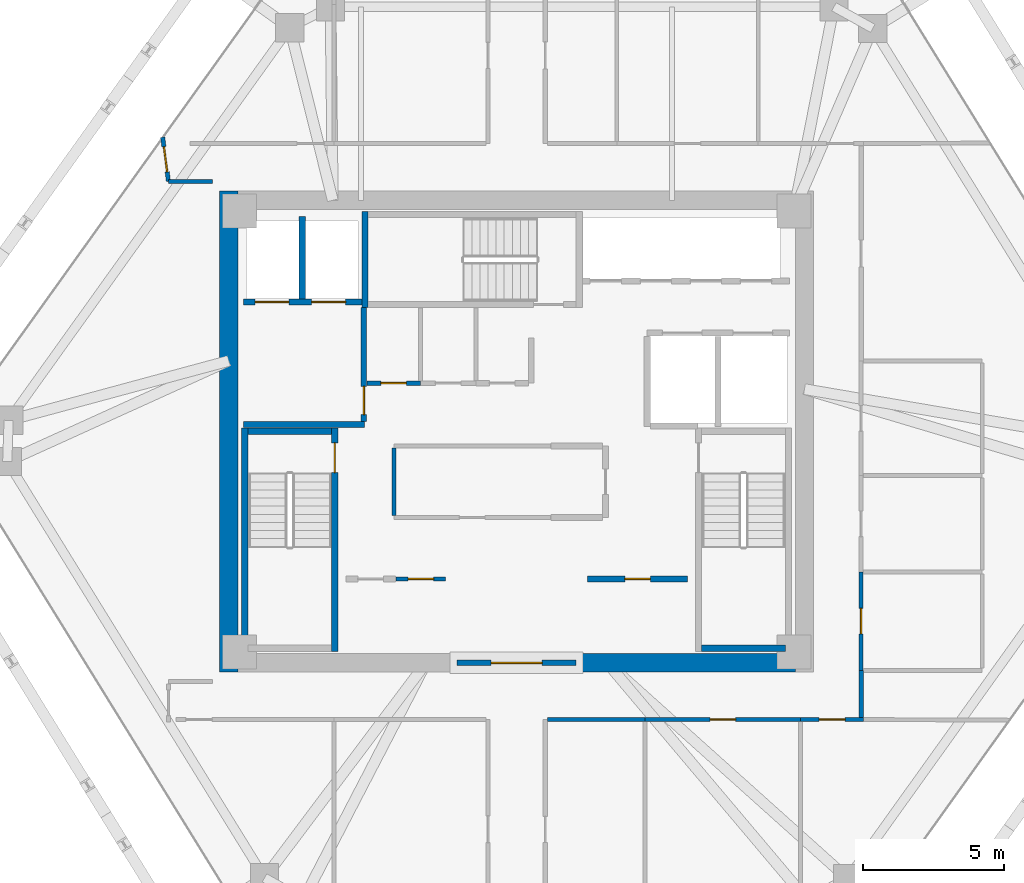
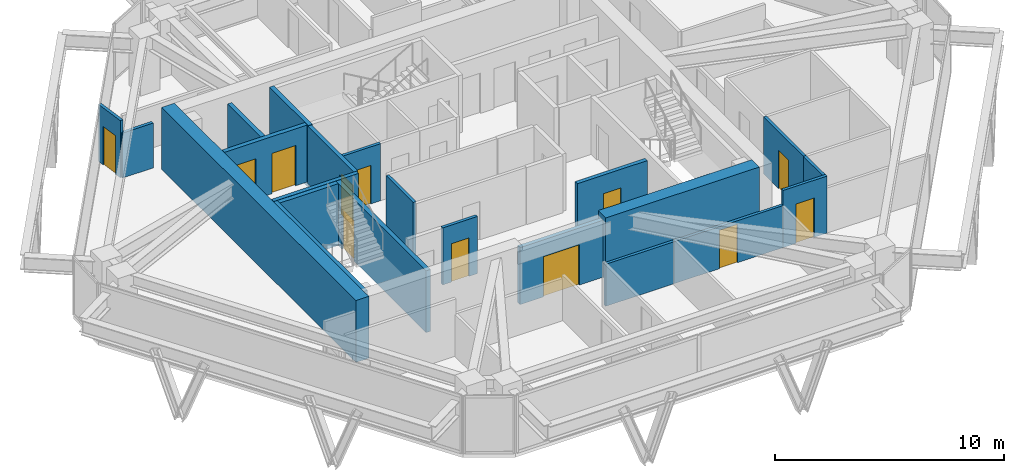
# One storey, part 8 of 11: 23 walls, 12 doors, 12 openings.
"""IFC4 building model written with IfcOpenShell, lengths in metres."""

from ifc_helpers import new_model, si_unit, direction, frame, frame_2d, origin, place, context, subcontext, project, spatial, rectangle, extrude, source, transform, mapped, material, layer, layer_set, type_object, type_shapes, element, fill, save


model = new_model("IFC4")

# Units and contexts
model_context = context("Model", 3, precision=1e-05, world=origin(), true_north=direction((0.0, 1.0)))
body_context = subcontext(model_context, "Body", "Model", "MODEL_VIEW")
ifc_project = project(units=[si_unit("LENGTHUNIT", "METRE"), si_unit("AREAUNIT", "SQUARE_METRE"), si_unit("VOLUMEUNIT", "CUBIC_METRE"), si_unit("PLANEANGLEUNIT", "RADIAN"), si_unit("MASSUNIT", "GRAM", prefix="KILO")], contexts=[model_context])

# Site, building, storey
site_placement = place(None, origin())
site = spatial("IfcSite", under=ifc_project, at=site_placement, CompositionType="ELEMENT")
building_placement = place(site_placement, origin())
building = spatial("IfcBuilding", under=site, at=building_placement, Name="Durnholm Broadcast Tower", CompositionType="ELEMENT")
storey_placement = place(building_placement, frame((0.0, 0.0, 177.10009765625)))
storey = spatial("IfcBuildingStorey", under=building, at=storey_placement, Name="L48", CompositionType="ELEMENT", Elevation=177.10009765625)

# Walls
ifc_material_1 = material(Name="Concrete C70/85", Category="concrete")
ifc_layer_1 = layer(ifc_material_1, 0.64990234375)
ifc_layer_set_1 = layer_set([ifc_layer_1], Name="Concrete C70/85")
wall_type_1 = type_object("IfcWallType", Name="WALL-CW-650", PredefinedType="SHEAR", material=ifc_layer_set_1)
wall_1_placement = place(storey_placement, frame((-10.175048828125, -8.5, 0.0), z_axis=(0.0, 0.0, 1.0), x_axis=(0.0, 1.0, 0.0)))
element("IfcWall", 1, at=wall_1_placement, inside=storey, type_object=wall_type_1, Name="L48 central core shear wall CW-WEST", PredefinedType="SHEAR", context=body_context, shape_type="SweptSolid", body=[
    extrude(rectangle(XDim=17.0, YDim=0.64990234375, at=frame_2d((8.5, 0.0))), origin(), (0.0, 0.0, 1.0), 3.2998046875),
])
wall_2_placement = place(storey_placement, frame((2.10009765625, -8.175048828125, 0.0), z_axis=(0.0, 0.0, 1.0), x_axis=(1.0, 0.0, 0.0)))
element("IfcWall", 2, at=wall_2_placement, inside=storey, type_object=wall_type_1, Name="L48 central core shear wall CW-S2", PredefinedType="SHEAR", context=body_context, shape_type="SweptSolid", body=[
    extrude(rectangle(XDim=7.75, YDim=0.64990234375, at=frame_2d((3.875, 0.0))), origin(), (0.0, 0.0, 1.0), 3.2998046875),
])

# Wall, opening, door
ifc_material_2 = material(Name="Fire-Rated Gypsum Shaftwall", Category="concrete")
ifc_layer_2 = layer(ifc_material_2, 0.199951171875)
ifc_layer_set_2 = layer_set([ifc_layer_2], Name="Fire-Rated Gypsum Shaftwall")
wall_type_2 = type_object("IfcWallType", Name="WALL-LOB-200", PredefinedType="SOLIDWALL", material=ifc_layer_set_2)
wall_3_placement = place(storey_placement, frame((-2.10009765625, -8.175048828125, 0.0), z_axis=(0.0, 0.0, 1.0), x_axis=(1.0, 0.0, 0.0)))
wall_3 = element("IfcWall", 3, at=wall_3_placement, inside=storey, type_object=wall_type_2, Name="L48 south core lobby fire screen", PredefinedType="SOLIDWALL", context=body_context, shape_type="SweptSolid", body=[
    extrude(rectangle(XDim=4.2001953125, YDim=0.199951171875, at=frame_2d((2.10009765625, 0.0))), origin(), (0.0, 0.0, 1.0), 3.044921875),
])
opening_1_placement = place(wall_3_placement, frame((1.199951171875, 0.0, 0.0)))
opening_1 = element("IfcOpeningElement", 4, at=opening_1_placement, cuts=wall_3, Name="Opening DP-60", PredefinedType="OPENING", context=body_context, shape_type="SweptSolid", body=[
    extrude(rectangle(XDim=1.800048828125, YDim=2.14990234375, at=frame_2d((0.89990234375, 1.074951171875))), frame((0.0, 0.10986328125, 0.0), z_axis=(0.0, -1.0, 0.0), x_axis=(1.0, 0.0, 0.0)), (0.0, 0.0, 1.0), 0.219970703125),
])
ifc_material_3 = material(Name="Fire-Rated Double Corridor Door", Category="steel")
ifc_layer_3 = layer(ifc_material_3, 0.050048828125)
ifc_layer_set_3 = layer_set([ifc_layer_3], Name="Fire-Rated Double Corridor Door")
door_type_1 = type_object("IfcDoorType", Name="DOOR-PAIR-FD60", OperationType="DOUBLE_DOOR_SINGLE_SWING", PredefinedType="DOOR", material=ifc_layer_set_3)
shared_shape_1 = source(origin(), body_context, "Body", "SweptSolid", [
    extrude(rectangle(XDim=1.800048828125, YDim=2.14990234375, at=frame_2d((0.89990234375, 1.074951171875))), frame((0.0, 0.02490234375, 0.0), z_axis=(0.0, -1.0, 0.0), x_axis=(1.0, 0.0, 0.0)), (0.0, 0.0, 1.0), 0.050048828125),
])
type_shapes(door_type_1, [shared_shape_1])
door_1_placement = place(opening_1_placement, origin())
door_1 = element("IfcDoor", 5, at=door_1_placement, inside=storey, type_object=door_type_1, Name="L48 south core lobby double fire door", OperationType="DOUBLE_DOOR_SINGLE_SWING", OverallHeight=2.14990234375, OverallWidth=1.800048828125, PredefinedType="DOOR", context=body_context, shape_type="MappedRepresentation", body=[
    mapped(shared_shape_1, transform((0.0, 0.0, 0.0), x_axis=(1.0, 0.0, 0.0), y_axis=(0.0, 1.0, 0.0), z_axis=(0.0, 0.0, 1.0), scale=1.0)),
])
fill(opening_1, door_1)

# Wall
wall_4_placement = place(storey_placement, frame((-9.64990234375, 0.25, 0.0), z_axis=(0.0, 0.0, 1.0), x_axis=(1.0, 0.0, 0.0)))
element("IfcWall", 6, at=wall_4_placement, inside=storey, type_object=wall_type_2, Name="L48 Fire Service Access Elevator lobby south wall", PredefinedType="SOLIDWALL", context=body_context, shape_type="SweptSolid", body=[
    extrude(rectangle(XDim=4.27001953125, YDim=0.199951171875, at=frame_2d((2.135009765625, 0.0))), origin(), (0.0, 0.0, 1.0), 3.044921875),
])

# Wall, opening, door
wall_5_placement = place(storey_placement, frame((-5.39990234375, 0.35400390625, 0.0), z_axis=(0.0, 0.0, 1.0), x_axis=(0.0, 1.0, 0.0)))
wall_5 = element("IfcWall", 7, at=wall_5_placement, inside=storey, type_object=wall_type_2, Name="L48 Fire Service Access Elevator lobby east fire wall", PredefinedType="SOLIDWALL", context=body_context, shape_type="SweptSolid", body=[
    extrude(rectangle(XDim=4.02587890625, YDim=0.199951171875, at=frame_2d((2.012939453125, 0.0))), origin(), (0.0, 0.0, 1.0), 3.044921875),
])
opening_2_placement = place(wall_5_placement, frame((0.24609375, 0.0, 0.0)))
opening_2 = element("IfcOpeningElement", 8, at=opening_2_placement, cuts=wall_5, Name="Opening DL-60L", PredefinedType="OPENING", context=body_context, shape_type="SweptSolid", body=[
    extrude(rectangle(XDim=1.0, YDim=2.14990234375, at=frame_2d((0.5, 1.074951171875))), frame((0.0, 0.10986328125, 0.0), z_axis=(0.0, -1.0, 0.0), x_axis=(1.0, 0.0, 0.0)), (0.0, 0.0, 1.0), 0.219970703125),
])
ifc_material_4 = material(Name="Fire-Rated Timber/Steel Door", Category="steel")
ifc_layer_4 = layer(ifc_material_4, 0.050048828125)
ifc_layer_set_4 = layer_set([ifc_layer_4], Name="Fire-Rated Timber/Steel Door")
door_type_2 = type_object("IfcDoorType", Name="DOOR-LOB-FD60-L", OperationType="NOTDEFINED", PredefinedType="DOOR", material=ifc_layer_set_4)
shared_shape_2 = source(origin(), body_context, "Body", "SweptSolid", [
    extrude(rectangle(XDim=1.0, YDim=2.14990234375, at=frame_2d((0.5, 1.074951171875))), frame((0.0, 0.02490234375, 0.0), z_axis=(0.0, -1.0, 0.0), x_axis=(1.0, 0.0, 0.0)), (0.0, 0.0, 1.0), 0.050048828125),
])
type_shapes(door_type_2, [shared_shape_2])
door_2_placement = place(opening_2_placement, origin())
door_2 = element("IfcDoor", 9, at=door_2_placement, inside=storey, type_object=door_type_2, Name="L48 Fire Service Access Elevator lobby smoke door", OperationType="SINGLE_SWING_LEFT", OverallHeight=2.14990234375, OverallWidth=1.0, PredefinedType="DOOR", context=body_context, shape_type="MappedRepresentation", body=[
    mapped(shared_shape_2, transform((0.0, 0.0, 0.0), x_axis=(1.0, 0.0, 0.0), y_axis=(0.0, 1.0, 0.0), z_axis=(0.0, 0.0, 1.0), scale=1.0)),
])
fill(opening_2, door_2)

wall_6_placement = place(storey_placement, frame((2.510009765625, -5.2099609375, 0.0), z_axis=(0.0, 0.0, 1.0), x_axis=(1.0, 0.0, 0.0)))
wall_6 = element("IfcWall", 10, at=wall_6_placement, inside=storey, type_object=wall_type_2, Name="L48 Telemetry Control Closet corridor partition", PredefinedType="SOLIDWALL", context=body_context, shape_type="SweptSolid", body=[
    extrude(rectangle(XDim=3.530029296875, YDim=0.199951171875, at=frame_2d((1.76513671875, 0.0))), origin(), (0.0, 0.0, 1.0), 3.044921875),
])
opening_3_placement = place(wall_6_placement, frame((1.31494140625, 0.0, 0.0)))
opening_3 = element("IfcOpeningElement", 11, at=opening_3_placement, cuts=wall_6, Name="Opening DC-60L", PredefinedType="OPENING", context=body_context, shape_type="SweptSolid", body=[
    extrude(rectangle(XDim=0.89990234375, YDim=2.050048828125, at=frame_2d((0.449951171875, 1.02490234375))), frame((0.0, 0.10986328125, 0.0), z_axis=(0.0, -1.0, 0.0), x_axis=(1.0, 0.0, 0.0)), (0.0, 0.0, 1.0), 0.219970703125),
])
ifc_material_5 = material(Name="Fire-Rated Core Service Door", Category="steel")
ifc_layer_5 = layer(ifc_material_5, 0.050048828125)
ifc_layer_set_5 = layer_set([ifc_layer_5], Name="Fire-Rated Core Service Door")
door_type_3 = type_object("IfcDoorType", Name="DOOR-CORE-FD60-L", OperationType="NOTDEFINED", PredefinedType="DOOR", material=ifc_layer_set_5)
shared_shape_3 = source(origin(), body_context, "Body", "SweptSolid", [
    extrude(rectangle(XDim=0.89990234375, YDim=2.050048828125, at=frame_2d((0.449951171875, 1.02490234375))), frame((0.0, 0.02490234375, 0.0), z_axis=(0.0, -1.0, 0.0), x_axis=(1.0, 0.0, 0.0)), (0.0, 0.0, 1.0), 0.050048828125),
])
type_shapes(door_type_3, [shared_shape_3])
door_3_placement = place(opening_3_placement, origin())
door_3 = element("IfcDoor", 12, at=door_3_placement, inside=storey, type_object=door_type_3, Name="L48 Telemetry Control Closet entrance door", OperationType="SINGLE_SWING_LEFT", OverallHeight=2.050048828125, OverallWidth=0.89990234375, PredefinedType="DOOR", context=body_context, shape_type="MappedRepresentation", body=[
    mapped(shared_shape_3, transform((0.0, 0.0, 0.0), x_axis=(1.0, 0.0, 0.0), y_axis=(0.0, 1.0, 0.0), z_axis=(0.0, 0.0, 1.0), scale=1.0)),
])
fill(opening_3, door_3)

ifc_material_6 = material(Name="Acoustic Gypsum Stud Partition", Category="concrete")
ifc_layer_6 = layer(ifc_material_6, 0.14990234375)
ifc_layer_set_6 = layer_set([ifc_layer_6], Name="Acoustic Gypsum Stud Partition")
wall_type_3 = type_object("IfcWallType", Name="WALL-PART-150", PredefinedType="PARTITIONING", material=ifc_layer_set_6)
wall_7_placement = place(storey_placement, frame((-4.260009765625, -5.2099609375, 0.0), z_axis=(0.0, 0.0, 1.0), x_axis=(1.0, 0.0, 0.0)))
wall_7 = element("IfcWall", 13, at=wall_7_placement, inside=storey, type_object=wall_type_3, Name="L48 Copy and Print Room corridor partition", PredefinedType="PARTITIONING", context=body_context, shape_type="SweptSolid", body=[
    extrude(rectangle(XDim=1.75, YDim=0.14990234375, at=frame_2d((0.875, 0.0))), origin(), (0.0, 0.0, 1.0), 3.044921875),
])
opening_4_placement = place(wall_7_placement, frame((0.425048828125, 0.0, 0.0)))
opening_4 = element("IfcOpeningElement", 14, at=opening_4_placement, cuts=wall_7, Name="Opening DC-60R", PredefinedType="OPENING", context=body_context, shape_type="SweptSolid", body=[
    extrude(rectangle(XDim=0.89990234375, YDim=2.050048828125, at=frame_2d((0.449951171875, 1.02490234375))), frame((0.0, 0.0849609375, 0.0), z_axis=(0.0, -1.0, 0.0), x_axis=(1.0, 0.0, 0.0)), (0.0, 0.0, 1.0), 0.169921875),
])
ifc_layer_7 = layer(ifc_material_5, 0.050048828125)
ifc_layer_set_7 = layer_set([ifc_layer_7], Name="Fire-Rated Core Service Door")
door_type_4 = type_object("IfcDoorType", Name="DOOR-CORE-FD60-R", OperationType="NOTDEFINED", PredefinedType="DOOR", material=ifc_layer_set_7)
shared_shape_4 = source(origin(), body_context, "Body", "SweptSolid", [
    extrude(rectangle(XDim=0.89990234375, YDim=2.050048828125, at=frame_2d((0.449951171875, 1.02490234375))), frame((0.0, 0.02490234375, 0.0), z_axis=(0.0, -1.0, 0.0), x_axis=(1.0, 0.0, 0.0)), (0.0, 0.0, 1.0), 0.050048828125),
])
type_shapes(door_type_4, [shared_shape_4])
door_4_placement = place(opening_4_placement, origin())
door_4 = element("IfcDoor", 15, at=door_4_placement, inside=storey, type_object=door_type_4, Name="L48 Copy and Print Room entrance door", OperationType="SINGLE_SWING_RIGHT", OverallHeight=2.050048828125, OverallWidth=0.89990234375, PredefinedType="DOOR", context=body_context, shape_type="MappedRepresentation", body=[
    mapped(shared_shape_4, transform((0.0, 0.0, 0.0), x_axis=(1.0, 0.0, 0.0), y_axis=(0.0, 1.0, 0.0), z_axis=(0.0, 0.0, 1.0), scale=1.0)),
])
fill(opening_4, door_4)

# Wall
wall_8_placement = place(storey_placement, frame((-4.340087890625, -2.9609375, 0.0), z_axis=(0.0, 0.0, 1.0), x_axis=(0.0, 1.0, 0.0)))
element("IfcWall", 16, at=wall_8_placement, inside=storey, type_object=wall_type_3, Name="L48 Broadcast Equipment Store corridor partition", PredefinedType="PARTITIONING", context=body_context, shape_type="SweptSolid", body=[
    extrude(rectangle(XDim=2.371826171875, YDim=0.14990234375, at=frame_2d((1.18603515625, 0.0))), origin(), (0.0, 0.0, 1.0), 3.044921875),
])

# Wall, opening, door
wall_9_placement = place(storey_placement, frame((-3.39990234375, 1.7099609375, 0.0), z_axis=(0.0, 0.0, 1.0), x_axis=(-1.0, 0.0, 0.0)))
wall_9 = element("IfcWall", 17, at=wall_9_placement, inside=storey, type_object=wall_type_3, Name="L48 Core Copy and Print Closet corridor partition", PredefinedType="PARTITIONING", context=body_context, shape_type="SweptSolid", body=[
    extrude(rectangle(XDim=1.89599609375, YDim=0.14990234375, at=frame_2d((0.947998046875, 0.0))), origin(), (0.0, 0.0, 1.0), 3.044921875),
])
opening_5_placement = place(wall_9_placement, frame((0.498046875, 0.0, 0.0)))
opening_5 = element("IfcOpeningElement", 18, at=opening_5_placement, cuts=wall_9, Name="Opening DC-60R", PredefinedType="OPENING", context=body_context, shape_type="SweptSolid", body=[
    extrude(rectangle(XDim=0.89990234375, YDim=2.050048828125, at=frame_2d((0.449951171875, 1.02490234375))), frame((0.0, 0.0849609375, 0.0), z_axis=(0.0, -1.0, 0.0), x_axis=(1.0, 0.0, 0.0)), (0.0, 0.0, 1.0), 0.169921875),
])
door_5_placement = place(opening_5_placement, origin())
door_5 = element("IfcDoor", 19, at=door_5_placement, inside=storey, type_object=door_type_4, Name="L48 Core Copy and Print Closet entrance door", OperationType="SINGLE_SWING_RIGHT", OverallHeight=2.050048828125, OverallWidth=0.89990234375, PredefinedType="DOOR", context=body_context, shape_type="MappedRepresentation", body=[
    mapped(shared_shape_4, transform((0.0, 0.0, 0.0), x_axis=(1.0, 0.0, 0.0), y_axis=(0.0, 1.0, 0.0), z_axis=(0.0, 0.0, 1.0), scale=1.0)),
])
fill(opening_5, door_5)

# Wall
wall_10_placement = place(storey_placement, frame((1.089111328125, -10.179931640625, 0.0), z_axis=(0.0, 0.0, 1.0), x_axis=(1.0, 0.0, 0.0)))
element("IfcWall", 20, at=wall_10_placement, inside=storey, type_object=wall_type_3, Name="L48 Festival Office corridor partition", PredefinedType="PARTITIONING", context=body_context, shape_type="SweptSolid", body=[
    extrude(rectangle(XDim=3.450927734375, YDim=0.14990234375, at=frame_2d((1.7255859375, 0.0))), origin(), (0.0, 0.0, 1.0), 2.24169921875),
])

# Wall, opening, door
wall_11_placement = place(storey_placement, frame((4.5400390625, -10.179931640625, 0.0), z_axis=(0.0, 0.0, 1.0), x_axis=(1.0, 0.0, 0.0)))
wall_11 = element("IfcWall", 21, at=wall_11_placement, inside=storey, type_object=wall_type_3, Name="L48 Vault Store corridor partition", PredefinedType="PARTITIONING", context=body_context, shape_type="SweptSolid", body=[
    extrude(rectangle(XDim=5.5, YDim=0.14990234375, at=frame_2d((2.75, 0.0))), origin(), (0.0, 0.0, 1.0), 2.24169921875),
])
opening_6_placement = place(wall_11_placement, frame((2.300048828125, 0.0, 0.0)))
opening_6 = element("IfcOpeningElement", 22, at=opening_6_placement, cuts=wall_11, Name="Opening DC-60R", PredefinedType="OPENING", context=body_context, shape_type="SweptSolid", body=[
    extrude(rectangle(XDim=0.89990234375, YDim=2.050048828125, at=frame_2d((0.449951171875, 1.02490234375))), frame((0.0, 0.0849609375, 0.0), z_axis=(0.0, -1.0, 0.0), x_axis=(1.0, 0.0, 0.0)), (0.0, 0.0, 1.0), 0.169921875),
])
door_6_placement = place(opening_6_placement, origin())
door_6 = element("IfcDoor", 23, at=door_6_placement, inside=storey, type_object=door_type_4, Name="L48 Vault Store entrance door", OperationType="SINGLE_SWING_RIGHT", OverallHeight=2.050048828125, OverallWidth=0.89990234375, PredefinedType="DOOR", context=body_context, shape_type="MappedRepresentation", body=[
    mapped(shared_shape_4, transform((0.0, 0.0, 0.0), x_axis=(1.0, 0.0, 0.0), y_axis=(0.0, 1.0, 0.0), z_axis=(0.0, 0.0, 1.0), scale=1.0)),
])
fill(opening_6, door_6)

wall_12_placement = place(storey_placement, frame((10.0400390625, -10.179931640625, 0.0), z_axis=(0.0, 0.0, 1.0), x_axis=(1.0, 0.0, 0.0)))
wall_12 = element("IfcWall", 24, at=wall_12_placement, inside=storey, type_object=wall_type_3, Name="L48 Documentary Office 1 corridor partition", PredefinedType="PARTITIONING", context=body_context, shape_type="SweptSolid", body=[
    extrude(rectangle(XDim=2.219970703125, YDim=0.14990234375, at=frame_2d((1.10986328125, 0.0))), origin(), (0.0, 0.0, 1.0), 3.044921875),
])
opening_7_placement = place(wall_12_placement, frame((0.64990234375, 0.0, 0.0)))
opening_7 = element("IfcOpeningElement", 25, at=opening_7_placement, cuts=wall_12, Name="Opening DR-92L", PredefinedType="OPENING", context=body_context, shape_type="SweptSolid", body=[
    extrude(rectangle(XDim=0.919921875, YDim=2.10009765625, at=frame_2d((0.4599609375, 1.050048828125))), frame((0.0, 0.0849609375, 0.0), z_axis=(0.0, -1.0, 0.0), x_axis=(1.0, 0.0, 0.0)), (0.0, 0.0, 1.0), 0.169921875),
])
ifc_material_7 = material(Name="Oak Veneer Office Door", Category="wood")
ifc_layer_8 = layer(ifc_material_7, 0.050048828125)
ifc_layer_set_8 = layer_set([ifc_layer_8], Name="Oak Veneer Office Door")
door_type_5 = type_object("IfcDoorType", Name="DOOR-RM-920L", OperationType="NOTDEFINED", PredefinedType="DOOR", material=ifc_layer_set_8)
shared_shape_5 = source(origin(), body_context, "Body", "SweptSolid", [
    extrude(rectangle(XDim=0.919921875, YDim=2.10009765625, at=frame_2d((0.4599609375, 1.050048828125))), frame((0.0, 0.02490234375, 0.0), z_axis=(0.0, -1.0, 0.0), x_axis=(1.0, 0.0, 0.0)), (0.0, 0.0, 1.0), 0.050048828125),
])
type_shapes(door_type_5, [shared_shape_5])
door_7_placement = place(opening_7_placement, origin())
door_7 = element("IfcDoor", 26, at=door_7_placement, inside=storey, type_object=door_type_5, Name="L48 Documentary Office 1 entrance door", OperationType="SINGLE_SWING_LEFT", OverallHeight=2.10009765625, OverallWidth=0.919921875, PredefinedType="DOOR", context=body_context, shape_type="MappedRepresentation", body=[
    mapped(shared_shape_5, transform((0.0, 0.0, 0.0), x_axis=(1.0, 0.0, 0.0), y_axis=(0.0, 1.0, 0.0), z_axis=(0.0, 0.0, 1.0), scale=1.0)),
])
fill(opening_7, door_7)

# Wall
wall_13_placement = place(storey_placement, frame((-12.31005859375, 8.840087890625, 0.0), z_axis=(0.0, 0.0, 1.0), x_axis=(1.0, 0.0, 0.0)))
element("IfcWall", 27, at=wall_13_placement, inside=storey, type_object=wall_type_3, Name="L48 Rough-Cut Office 2 corridor partition", PredefinedType="PARTITIONING", context=body_context, shape_type="SweptSolid", body=[
    extrude(rectangle(XDim=1.550048828125, YDim=0.14990234375, at=frame_2d((0.77490234375, 0.0))), origin(), (0.0, 0.0, 1.0), 2.398681640625),
])

# Wall, opening, door
wall_14_placement = place(storey_placement, frame((-12.514404296875, 10.40625, 0.0), z_axis=(0.0, 0.0, 1.0), x_axis=(0.129378833178, -0.991595238757, 0.0)))
wall_14 = element("IfcWall", 28, at=wall_14_placement, inside=storey, type_object=wall_type_3, Name="L48 Rough-Cut Office 2 corridor partition", PredefinedType="PARTITIONING", context=body_context, shape_type="SweptSolid", body=[
    extrude(rectangle(XDim=1.579345703125, YDim=0.14990234375, at=frame_2d((0.78955078125, 0.0))), origin(), (0.0, 0.0, 1.0), 3.044921875),
])
opening_8_placement = place(wall_14_placement, frame((0.33984375, 0.0, 0.0)))
opening_8 = element("IfcOpeningElement", 29, at=opening_8_placement, cuts=wall_14, Name="Opening DW-90R", PredefinedType="OPENING", context=body_context, shape_type="SweptSolid", body=[
    extrude(rectangle(XDim=0.89990234375, YDim=2.050048828125, at=frame_2d((0.449951171875, 1.02490234375))), frame((0.0, 0.0849609375, 0.0), z_axis=(0.0, -1.0, 0.0), x_axis=(1.0, 0.0, 0.0)), (0.0, 0.0, 1.0), 0.169921875),
])
ifc_material_8 = material(Name="Laminate Restroom Door", Category="steel")
ifc_layer_9 = layer(ifc_material_8, 0.050048828125)
ifc_layer_set_9 = layer_set([ifc_layer_9], Name="Laminate Restroom Door")
door_type_6 = type_object("IfcDoorType", Name="DOOR-WC-900R", OperationType="NOTDEFINED", PredefinedType="DOOR", material=ifc_layer_set_9)
shared_shape_6 = source(origin(), body_context, "Body", "SweptSolid", [
    extrude(rectangle(XDim=0.89990234375, YDim=2.050048828125, at=frame_2d((0.449951171875, 1.02490234375))), frame((0.0, 0.02490234375, 0.0), z_axis=(0.0, -1.0, 0.0), x_axis=(1.0, 0.0, 0.0)), (0.0, 0.0, 1.0), 0.050048828125),
])
type_shapes(door_type_6, [shared_shape_6])
door_8_placement = place(opening_8_placement, origin())
door_8 = element("IfcDoor", 30, at=door_8_placement, inside=storey, type_object=door_type_6, Name="L48 Rough-Cut Office 2 entrance door", OperationType="SINGLE_SWING_RIGHT", OverallHeight=2.050048828125, OverallWidth=0.89990234375, PredefinedType="DOOR", context=body_context, shape_type="MappedRepresentation", body=[
    mapped(shared_shape_6, transform((0.0, 0.0, 0.0), x_axis=(1.0, 0.0, 0.0), y_axis=(0.0, 1.0, 0.0), z_axis=(0.0, 0.0, 1.0), scale=1.0)),
])
fill(opening_8, door_8)

# Wall
wall_15_placement = place(storey_placement, frame((12.179931640625, -10.10107421875, 0.0), z_axis=(0.0, 0.0, 1.0), x_axis=(0.0, 1.0, 0.0)))
element("IfcWall", 31, at=wall_15_placement, inside=storey, type_object=wall_type_3, Name="L48 Archival Office corridor partition", PredefinedType="PARTITIONING", context=body_context, shape_type="SweptSolid", body=[
    extrude(rectangle(XDim=1.6611328125, YDim=0.14990234375, at=frame_2d((0.83056640625, 0.0))), origin(), (0.0, 0.0, 1.0), 3.044921875),
])

# Wall, openings, doors
ifc_material_9 = material(Name="Concrete Blockwork C30/37", Category="masonry")
ifc_layer_10 = layer(ifc_material_9, 0.219970703125)
ifc_layer_set_10 = layer_set([ifc_layer_10], Name="Concrete Blockwork C30/37")
wall_type_4 = type_object("IfcWallType", Name="WALL-SHAFT-220", PredefinedType="SOLIDWALL", material=ifc_layer_set_10)
wall_16_placement = place(storey_placement, frame((-9.64990234375, 4.580078125, 0.0), z_axis=(0.0, 0.0, 1.0), x_axis=(1.0, 0.0, 0.0)))
wall_16 = element("IfcWall", 32, at=wall_16_placement, inside=storey, type_object=wall_type_4, Name="L48 FSAE hoistway front fire wall", PredefinedType="SOLIDWALL", context=body_context, shape_type="SweptSolid", body=[
    extrude(rectangle(XDim=4.1748046875, YDim=0.219970703125, at=frame_2d((2.08740234375, 0.0))), origin(), (0.0, 0.0, 1.0), 3.044921875),
])
opening_9_placement = place(wall_16_placement, frame((0.39990234375, 0.0, 0.0)))
opening_9 = element("IfcOpeningElement", 33, at=opening_9_placement, cuts=wall_16, Name="Opening LD-FSAE-2", PredefinedType="OPENING", context=body_context, shape_type="SweptSolid", body=[
    extrude(rectangle(XDim=1.199951171875, YDim=2.14990234375, at=frame_2d((0.60009765625, 1.074951171875))), frame((0.0, 0.1201171875, 0.0), z_axis=(0.0, -1.0, 0.0), x_axis=(1.0, 0.0, 0.0)), (0.0, 0.0, 1.0), 0.239990234375),
])
opening_10_placement = place(wall_16_placement, frame((2.39990234375, 0.0, 0.0)))
opening_10 = element("IfcOpeningElement", 34, at=opening_10_placement, cuts=wall_16, Name="Opening LD-FSAE-1", PredefinedType="OPENING", context=body_context, shape_type="SweptSolid", body=[
    extrude(rectangle(XDim=1.199951171875, YDim=2.14990234375, at=frame_2d((0.60009765625, 1.074951171875))), frame((0.0, 0.1201171875, 0.0), z_axis=(0.0, -1.0, 0.0), x_axis=(1.0, 0.0, 0.0)), (0.0, 0.0, 1.0), 0.239990234375),
])
ifc_material_10 = material(Name="Fire Service Access Sliding Landing Door", Category="steel")
ifc_layer_11 = layer(ifc_material_10, 0.050048828125)
ifc_layer_set_11 = layer_set([ifc_layer_11], Name="Fire Service Access Sliding Landing Door")
door_type_7 = type_object("IfcDoorType", Name="DOOR-LIFT-FSAE", OperationType="DOUBLE_DOOR_SLIDING", PredefinedType="DOOR", material=ifc_layer_set_11)
shared_shape_7 = source(origin(), body_context, "Body", "SweptSolid", [
    extrude(rectangle(XDim=1.199951171875, YDim=2.14990234375, at=frame_2d((0.60009765625, 1.074951171875))), frame((0.0, 0.02490234375, 0.0), z_axis=(0.0, -1.0, 0.0), x_axis=(1.0, 0.0, 0.0)), (0.0, 0.0, 1.0), 0.050048828125),
])
type_shapes(door_type_7, [shared_shape_7])
door_9_placement = place(opening_9_placement, origin())
door_9 = element("IfcDoor", 35, at=door_9_placement, inside=storey, type_object=door_type_7, Name="L48 Fire Service Access Elevator FSAE-2 sliding landing door", OperationType="DOUBLE_DOOR_SLIDING", OverallHeight=2.14990234375, OverallWidth=1.199951171875, PredefinedType="DOOR", context=body_context, shape_type="MappedRepresentation", body=[
    mapped(shared_shape_7, transform((0.0, 0.0, 0.0), x_axis=(1.0, 0.0, 0.0), y_axis=(0.0, 1.0, 0.0), z_axis=(0.0, 0.0, 1.0), scale=1.0)),
])
fill(opening_9, door_9)
door_10_placement = place(opening_10_placement, origin())
door_10 = element("IfcDoor", 36, at=door_10_placement, inside=storey, type_object=door_type_7, Name="L48 Fire Service Access Elevator FSAE-1 sliding landing door", OperationType="DOUBLE_DOOR_SLIDING", OverallHeight=2.14990234375, OverallWidth=1.199951171875, PredefinedType="DOOR", context=body_context, shape_type="MappedRepresentation", body=[
    mapped(shared_shape_7, transform((0.0, 0.0, 0.0), x_axis=(1.0, 0.0, 0.0), y_axis=(0.0, 1.0, 0.0), z_axis=(0.0, 0.0, 1.0), scale=1.0)),
])
fill(opening_10, door_10)

# Wall
wall_17_placement = place(storey_placement, frame((-7.580078125, 4.694091796875, 0.0), z_axis=(0.0, 0.0, 1.0), x_axis=(0.0, 1.0, 0.0)))
element("IfcWall", 37, at=wall_17_placement, inside=storey, type_object=wall_type_4, Name="L48 FSAE shaft divider wall", PredefinedType="SOLIDWALL", context=body_context, shape_type="SweptSolid", body=[
    extrude(rectangle(XDim=2.906005859375, YDim=0.219970703125, at=frame_2d((1.453125, 0.0))), origin(), (0.0, 0.0, 1.0), 3.044921875),
])

# Wall, opening, door
ifc_material_11 = material(Name="Concrete C50/60", Category="concrete")
ifc_layer_12 = layer(ifc_material_11, 0.219970703125)
ifc_layer_set_12 = layer_set([ifc_layer_12], Name="Concrete C50/60")
wall_type_5 = type_object("IfcWallType", Name="WALL-SW-220", PredefinedType="SHEAR", material=ifc_layer_set_12)
wall_18_placement = place(storey_placement, frame((-6.429931640625, -7.77001953125, -0.239990234375), z_axis=(0.0, 0.0, 1.0), x_axis=(0.0, 1.0, 0.0)))
wall_18 = element("IfcWall", 38, at=wall_18_placement, inside=storey, type_object=wall_type_5, Name="L48 stair ST-1 structural shaft wall E", PredefinedType="SHEAR", context=body_context, shape_type="SweptSolid", body=[
    extrude(rectangle(XDim=7.89013671875, YDim=0.219970703125, at=frame_2d((3.945068359375, 0.0))), origin(), (0.0, 0.0, 1.0), 3.2998046875),
])
opening_11_placement = place(wall_18_placement, frame((6.320068359375, 0.0, 0.0)))
opening_11 = element("IfcOpeningElement", 39, at=opening_11_placement, cuts=wall_18, Name="Opening DS-90L", PredefinedType="OPENING", context=body_context, shape_type="SweptSolid", body=[
    extrude(rectangle(XDim=1.050048828125, YDim=2.14990234375, at=frame_2d((0.52490234375, 1.074951171875))), frame((0.0, 0.1201171875, 0.0), z_axis=(0.0, -1.0, 0.0), x_axis=(1.0, 0.0, 0.0)), (0.0, 0.0, 1.0), 0.239990234375),
])
ifc_material_12 = material(Name="Fire-Rated Steel Door", Category="steel")
ifc_layer_13 = layer(ifc_material_12, 0.050048828125)
ifc_layer_set_13 = layer_set([ifc_layer_13], Name="Fire-Rated Steel Door")
door_type_8 = type_object("IfcDoorType", Name="DOOR-ST-FD90-L", OperationType="NOTDEFINED", PredefinedType="DOOR", material=ifc_layer_set_13)
shared_shape_8 = source(origin(), body_context, "Body", "SweptSolid", [
    extrude(rectangle(XDim=1.050048828125, YDim=2.14990234375, at=frame_2d((0.52490234375, 1.074951171875))), frame((0.0, 0.02490234375, 0.0), z_axis=(0.0, -1.0, 0.0), x_axis=(1.0, 0.0, 0.0)), (0.0, 0.0, 1.0), 0.050048828125),
])
type_shapes(door_type_8, [shared_shape_8])
door_11_placement = place(opening_11_placement, origin())
door_11 = element("IfcDoor", 40, at=door_11_placement, inside=storey, type_object=door_type_8, Name="L48 exit stair ST-1 fire door", OperationType="SINGLE_SWING_LEFT", OverallHeight=2.14990234375, OverallWidth=1.050048828125, PredefinedType="DOOR", context=body_context, shape_type="MappedRepresentation", body=[
    mapped(shared_shape_8, transform((0.0, 0.0, 0.0), x_axis=(1.0, 0.0, 0.0), y_axis=(0.0, 1.0, 0.0), z_axis=(0.0, 0.0, 1.0), scale=1.0)),
])
fill(opening_11, door_11)

# Walls
wall_19_placement = place(storey_placement, frame((-9.610107421875, 0.1201171875, -0.239990234375), z_axis=(0.0, 0.0, 1.0), x_axis=(0.0, -1.0, 0.0)))
element("IfcWall", 41, at=wall_19_placement, inside=storey, type_object=wall_type_5, Name="L48 stair ST-1 structural shaft wall W", PredefinedType="SHEAR", context=body_context, shape_type="SweptSolid", body=[
    extrude(rectangle(XDim=7.89013671875, YDim=0.219970703125, at=frame_2d((3.945068359375, 0.0))), origin(), (0.0, 0.0, 1.0), 3.2998046875),
])
for number, where, z_axis, x_axis, name in (
    (42, (-6.5400390625, 0.010009765625, -0.239990234375), (0.0, 0.0, 1.0), (-1.0, 0.0, 0.0), "L48 stair ST-1 structural shaft wall N"),
    (43, (6.5400390625, -7.659912109375, -0.239990234375), (0.0, 0.0, 1.0), (1.0, 0.0, 0.0), "L48 stair ST-2 structural shaft wall S"),
):
    element("IfcWall", number, at=place(storey_placement, frame(where, z_axis=z_axis, x_axis=x_axis)), inside=storey, type_object=wall_type_5, Name=name, PredefinedType="SHEAR", context=body_context, shape_type="SweptSolid", body=[
        extrude(rectangle(XDim=2.9599609375, YDim=0.219970703125, at=frame_2d((1.47998046875, 0.0))), origin(), (0.0, 0.0, 1.0), 3.2998046875),
    ])
wall_20_placement = place(storey_placement, frame((-5.360107421875, 7.780029296875, -0.239990234375), z_axis=(0.0, 0.0, 1.0), x_axis=(0.0, -1.0, 0.0)))
element("IfcWall", 44, at=wall_20_placement, inside=storey, type_object=wall_type_5, Name="L48 stair ST-3 structural shaft wall W", PredefinedType="SHEAR", context=body_context, shape_type="SweptSolid", body=[
    extrude(rectangle(XDim=3.400146484375, YDim=0.219970703125, at=frame_2d((1.7001953125, 0.0))), origin(), (0.0, 0.0, 1.0), 3.2998046875),
])

# Wall, opening, door
ifc_material_13 = material(Name="Moisture-Resistant Tile Partition", Category="concrete")
ifc_layer_14 = layer(ifc_material_13, 0.139892578125)
ifc_layer_set_14 = layer_set([ifc_layer_14], Name="Moisture-Resistant Tile Partition")
wall_type_6 = type_object("IfcWallType", Name="WALL-WC-140", PredefinedType="PARTITIONING", material=ifc_layer_set_14)
wall_21_placement = place(storey_placement, frame((12.179931640625, -8.43994140625, 0.0), z_axis=(0.0, 0.0, 1.0), x_axis=(0.0, 1.0, 0.0)))
wall_21 = element("IfcWall", 45, at=wall_21_placement, inside=storey, type_object=wall_type_6, Name="L48 Men's Restroom corridor partition", PredefinedType="PARTITIONING", context=body_context, shape_type="SweptSolid", body=[
    extrude(rectangle(XDim=3.47998046875, YDim=0.139892578125, at=frame_2d((1.739990234375, 0.0))), origin(), (0.0, 0.0, 1.0), 3.044921875),
])
opening_12_placement = place(wall_21_placement, frame((1.2900390625, 0.0, 0.0)))
opening_12 = element("IfcOpeningElement", 46, at=opening_12_placement, cuts=wall_21, Name="Opening DW-90L", PredefinedType="OPENING", context=body_context, shape_type="SweptSolid", body=[
    extrude(rectangle(XDim=0.89990234375, YDim=2.050048828125, at=frame_2d((0.449951171875, 1.02490234375))), frame((0.0, 0.080078125, 0.0), z_axis=(0.0, -1.0, 0.0), x_axis=(1.0, 0.0, 0.0)), (0.0, 0.0, 1.0), 0.159912109375),
])
ifc_layer_15 = layer(ifc_material_8, 0.050048828125)
ifc_layer_set_15 = layer_set([ifc_layer_15], Name="Laminate Restroom Door")
door_type_9 = type_object("IfcDoorType", Name="DOOR-WC-900L", OperationType="NOTDEFINED", PredefinedType="DOOR", material=ifc_layer_set_15)
shared_shape_9 = source(origin(), body_context, "Body", "SweptSolid", [
    extrude(rectangle(XDim=0.89990234375, YDim=2.050048828125, at=frame_2d((0.449951171875, 1.02490234375))), frame((0.0, 0.02490234375, 0.0), z_axis=(0.0, -1.0, 0.0), x_axis=(1.0, 0.0, 0.0)), (0.0, 0.0, 1.0), 0.050048828125),
])
type_shapes(door_type_9, [shared_shape_9])
door_12_placement = place(opening_12_placement, origin())
door_12 = element("IfcDoor", 47, at=door_12_placement, inside=storey, type_object=door_type_9, Name="L48 Men's Restroom entrance door", OperationType="SINGLE_SWING_LEFT", OverallHeight=2.050048828125, OverallWidth=0.89990234375, PredefinedType="DOOR", context=body_context, shape_type="MappedRepresentation", body=[
    mapped(shared_shape_9, transform((0.0, 0.0, 0.0), x_axis=(1.0, 0.0, 0.0), y_axis=(0.0, 1.0, 0.0), z_axis=(0.0, 0.0, 1.0), scale=1.0)),
])
fill(opening_12, door_12)

save(model, "model.ifc")
